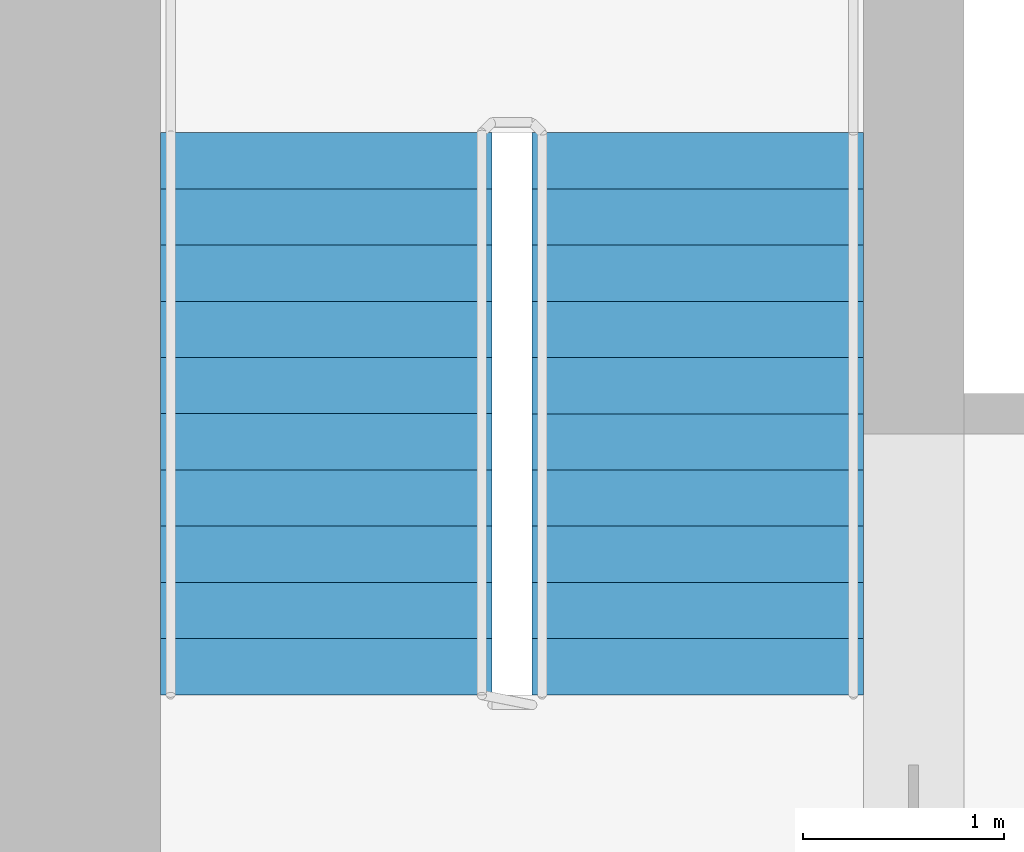
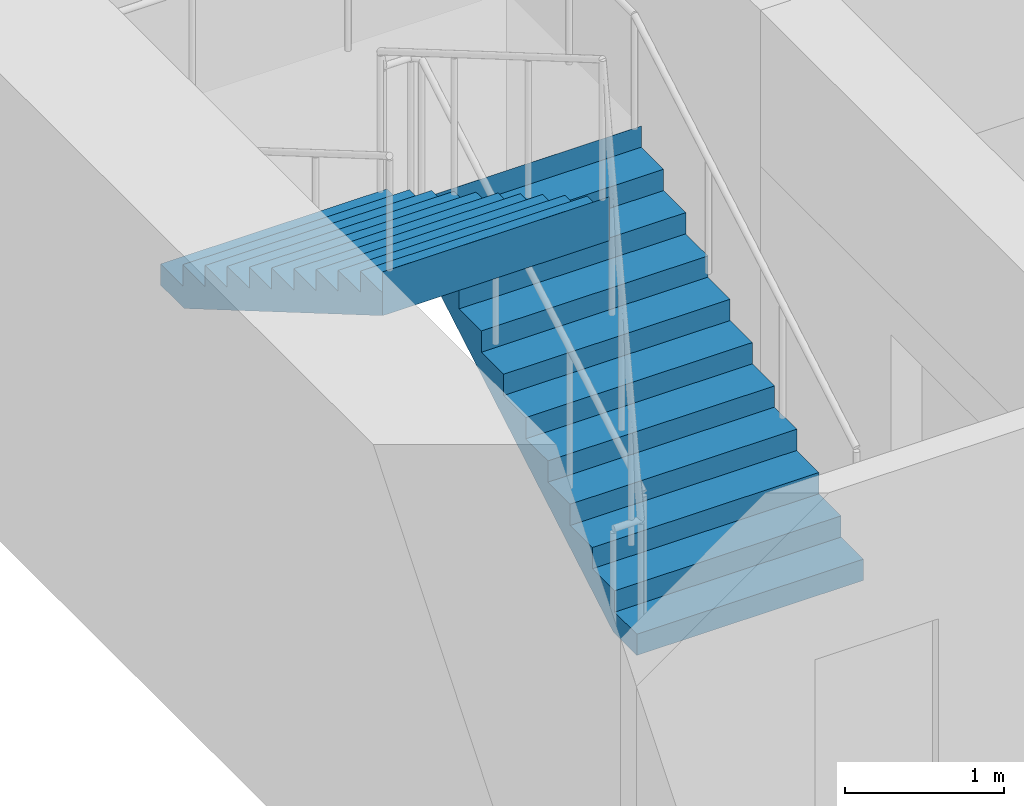
# One storey, part 14 of 15: 2 stair flights, 1 element without a shape of its own.
"""IFC4 building model written with IfcOpenShell, lengths in metres."""

from ifc_helpers import new_model, si_unit, direction, frame, origin, place, context, subcontext, project, spatial, polyline, outline, extrude, material, type_object, element, aggregate, save


model = new_model("IFC4")

# Units and contexts
model_context = context("Model", 3, precision=1e-05, world=origin(), true_north=direction((0.0, 1.0)))
body_context = subcontext(model_context, "Body", "Model", "MODEL_VIEW")
ifc_project = project(units=[si_unit("LENGTHUNIT", "METRE"), si_unit("AREAUNIT", "SQUARE_METRE"), si_unit("VOLUMEUNIT", "CUBIC_METRE"), si_unit("PLANEANGLEUNIT", "RADIAN"), si_unit("MASSUNIT", "GRAM", prefix="KILO")], contexts=[model_context])

# Site, building, storey
site_placement = place(None, origin())
site = spatial("IfcSite", under=ifc_project, at=site_placement, CompositionType="ELEMENT")
building_placement = place(site_placement, origin())
building = spatial("IfcBuilding", under=site, at=building_placement, Name="Tamorin Gate", CompositionType="ELEMENT")
storey_placement = place(building_placement, frame((0.0, 0.0, 111.5)))
storey = spatial("IfcBuildingStorey", under=building, at=storey_placement, Name="L27", CompositionType="ELEMENT", Elevation=111.5)

# Stair, stair flights
ifc_material = material(Name="Concrete C40/50", Category="concrete")
stair_type = type_object("IfcStairType", Name="Exit stair", PredefinedType="HALF_TURN_STAIR", material=ifc_material)
stair_placement = place(storey_placement, origin())
stair = element("IfcStair", 1, at=stair_placement, inside=storey, type_object=stair_type, Name="L27 stair ST2", PredefinedType="HALF_TURN_STAIR")
stair_flight_type = type_object("IfcStairFlightType", Name="Exit stair flight", PredefinedType="STRAIGHT", material=ifc_material)
stair_flight_1_placement = place(storey_placement, frame((33.675048828125, 77.0, 0.0), z_axis=(0.0, 0.0, 1.0), x_axis=(0.0, 1.0, 0.0)))
stair_flight_1 = element("IfcStairFlight", 2, at=stair_flight_1_placement, type_object=stair_flight_type, Name="ST2 flight 1", NumberOfRisers=11, NumberOfTreads=10, PredefinedType="STRAIGHT", RiserHeight=0.163636364, TreadLength=0.28, context=body_context, shape_type="SweptSolid", body=[
    extrude(outline(polyline([(-0.00048828125, 0.0), (-0.00048828125, 0.001708984375), (-0.00048828125, 0.003173828125), (-0.00048828125, 0.0048828125), (-0.00048828125, 0.006591796875), (-0.00048828125, 0.008056640625), (-0.00048828125, 0.009765625), (-0.00048828125, 0.01123046875), (-0.00048828125, 0.012939453125), (-0.00048828125, 0.0146484375), (-0.00048828125, 0.01611328125), (-0.00048828125, 0.017822265625), (-0.00048828125, 0.01953125), (-0.00048828125, 0.02099609375), (-0.00048828125, 0.022705078125), (-0.00048828125, 0.0244140625), (-0.00048828125, 0.02587890625), (-0.00048828125, 0.027587890625), (-0.00048828125, 0.029052734375), (-0.00048828125, 0.03076171875), (-0.00048828125, 0.032470703125), (-0.00048828125, 0.033935546875), (-0.00048828125, 0.03564453125), (-0.00048828125, 0.037353515625), (-0.00048828125, 0.038818359375), (-0.00048828125, 0.04052734375), (-0.00048828125, 0.042236328125), (-0.00048828125, 0.043701171875), (-0.00048828125, 0.04541015625), (-0.00048828125, 0.046875), (-0.00048828125, 0.048583984375), (-0.00048828125, 0.05029296875), (-0.00048828125, 0.0517578125), (-0.00048828125, 0.053466796875), (-0.00048828125, 0.05517578125), (-0.00048828125, 0.056640625), (-0.00048828125, 0.058349609375), (-0.00048828125, 0.06005859375), (-0.00048828125, 0.0615234375), (-0.00048828125, 0.063232421875), (-0.00048828125, 0.064697265625), (-0.00048828125, 0.06640625), (-0.00048828125, 0.068115234375), (-0.00048828125, 0.069580078125), (-0.00048828125, 0.0712890625), (-0.00048828125, 0.072998046875), (-0.00048828125, 0.074462890625), (-0.00048828125, 0.076171875), (-0.00048828125, 0.077880859375), (-0.00048828125, 0.079345703125), (-0.00048828125, 0.0810546875), (-0.00048828125, 0.08251953125), (-0.00048828125, 0.084228515625), (-0.00048828125, 0.0859375), (-0.00048828125, 0.08740234375), (-0.00048828125, 0.089111328125), (-0.00048828125, 0.0908203125), (-0.00048828125, 0.09228515625), (-0.00048828125, 0.093994140625), (-0.00048828125, 0.095703125), (-0.00048828125, 0.09716796875), (-0.00048828125, 0.098876953125), (-0.00048828125, 0.100341796875), (-0.00048828125, 0.10205078125), (-0.00048828125, 0.103759765625), (-0.00048828125, 0.105224609375), (-0.00048828125, 0.10693359375), (-0.00048828125, 0.108642578125), (-0.00048828125, 0.110107421875), (-0.00048828125, 0.11181640625), (-0.00048828125, 0.113525390625), (-0.00048828125, 0.114990234375), (-0.00048828125, 0.11669921875), (-0.00048828125, 0.1181640625), (-0.00048828125, 0.119873046875), (-0.00048828125, 0.12158203125), (-0.00048828125, 0.123046875), (-0.00048828125, 0.124755859375), (-0.00048828125, 0.12646484375), (-0.00048828125, 0.1279296875), (-0.00048828125, 0.129638671875), (-0.00048828125, 0.13134765625), (-0.00048828125, 0.1328125), (-0.00048828125, 0.134521484375), (-0.00048828125, 0.135986328125), (-0.00048828125, 0.1376953125), (-0.00048828125, 0.139404296875), (-0.00048828125, 0.140869140625), (-0.00048828125, 0.142578125), (-0.00048828125, 0.144287109375), (-0.00048828125, 0.145751953125), (-0.00048828125, 0.1474609375), (-0.00048828125, 0.149169921875), (-0.00048828125, 0.150634765625), (-0.00048828125, 0.15234375), (-0.00048828125, 0.15380859375), (-0.00048828125, 0.155517578125), (-0.00048828125, 0.1572265625), (-0.00048828125, 0.15869140625), (-0.00048828125, 0.160400390625), (-0.00048828125, 0.162109375), (-0.00048828125, 0.16357421875), (0.280029296875, 0.16357421875), (0.280029296875, 0.327392578125), (0.56005859375, 0.327392578125), (0.56005859375, 0.490966796875), (0.840087890625, 0.490966796875), (0.840087890625, 0.654541015625), (1.1201171875, 0.654541015625), (1.1201171875, 0.818115234375), (1.39990234375, 0.818115234375), (1.39990234375, 0.98193359375), (1.679931640625, 0.98193359375), (1.679931640625, 1.1455078125), (1.9599609375, 1.1455078125), (1.9599609375, 1.30908203125), (2.239990234375, 1.30908203125), (2.239990234375, 1.47265625), (2.52001953125, 1.47265625), (2.52001953125, 1.636474609375), (2.800048828125, 1.636474609375), (2.800048828125, 1.800048828125), (2.800537109375, 1.800048828125), (2.800537109375, 1.796630859375), (2.800537109375, 1.793212890625), (2.800537109375, 1.7900390625), (2.800537109375, 1.78662109375), (2.800537109375, 1.783203125), (2.800537109375, 1.780029296875), (2.800537109375, 1.776611328125), (2.800537109375, 1.773193359375), (2.800537109375, 1.77001953125), (2.800537109375, 1.7666015625), (2.800537109375, 1.76318359375), (2.800537109375, 1.760009765625), (2.800537109375, 1.756591796875), (2.800537109375, 1.753173828125), (2.800537109375, 1.75), (2.800537109375, 1.74658203125), (2.800537109375, 1.7431640625), (2.800537109375, 1.739990234375), (2.800537109375, 1.736572265625), (2.800537109375, 1.733154296875), (2.800537109375, 1.72998046875), (2.800537109375, 1.7265625), (2.800537109375, 1.72314453125), (2.800537109375, 1.719970703125), (2.800537109375, 1.716552734375), (2.800537109375, 1.713134765625), (2.800537109375, 1.7099609375), (2.800537109375, 1.70654296875), (2.800537109375, 1.703125), (2.800537109375, 1.69970703125), (2.800537109375, 1.696533203125), (2.800537109375, 1.693115234375), (2.800537109375, 1.689697265625), (2.800537109375, 1.6865234375), (2.800537109375, 1.68310546875), (2.800537109375, 1.6796875), (2.800537109375, 1.676513671875), (2.800537109375, 1.673095703125), (2.800537109375, 1.669677734375), (2.800537109375, 1.66650390625), (2.800537109375, 1.6630859375), (2.800537109375, 1.65966796875), (2.800537109375, 1.656494140625), (2.800537109375, 1.653076171875), (2.800537109375, 1.649658203125), (2.800537109375, 1.646484375), (2.800537109375, 1.64306640625), (2.800537109375, 1.6396484375), (2.800537109375, 1.636474609375), (2.800537109375, 1.633056640625), (2.800537109375, 1.629638671875), (2.800537109375, 1.62646484375), (2.800537109375, 1.623046875), (2.800537109375, 1.61962890625), (2.800537109375, 1.616455078125), (2.800537109375, 1.613037109375), (2.800537109375, 1.609619140625), (2.800537109375, 1.6064453125), (2.800537109375, 1.60302734375), (2.800537109375, 1.599609375), (2.800537109375, 1.59619140625), (2.800537109375, 1.593017578125), (2.800537109375, 1.589599609375), (2.800537109375, 1.586181640625), (2.800537109375, 1.5830078125), (2.800537109375, 1.57958984375), (2.800537109375, 1.576171875), (2.800537109375, 1.572998046875), (2.800537109375, 1.569580078125), (2.800537109375, 1.566162109375), (2.800537109375, 1.56298828125), (2.800537109375, 1.5595703125), (2.800537109375, 1.55615234375), (2.800537109375, 1.552978515625), (2.800537109375, 1.549560546875), (2.800537109375, 1.546142578125), (2.800537109375, 1.54296875), (2.800537109375, 1.53955078125), (2.800537109375, 1.5361328125), (2.800537109375, 1.532958984375), (2.800537109375, 1.529541015625), (2.800537109375, 1.526123046875), (2.800537109375, 1.52294921875), (2.800537109375, 1.51953125), (2.800537109375, 1.51611328125), (2.800537109375, 1.512939453125), (2.800537109375, 1.509521484375), (2.800537109375, 1.506103515625), (2.800537109375, 1.5029296875), (2.800537109375, 1.49951171875), (2.800537109375, 1.49609375), (2.800537109375, 1.49267578125), (2.800537109375, 1.489501953125), (2.800537109375, 1.486083984375), (2.800537109375, 1.482666015625), (2.800537109375, 1.4794921875), (2.800537109375, 1.47607421875), (2.800537109375, 1.47265625), (2.800537109375, 1.469482421875), (2.800537109375, 1.466064453125), (2.800537109375, 1.462646484375), (2.800048828125, 1.462646484375), (0.297119140625, 0.0), (-0.00048828125, 0.0)])), frame((0.0, 0.824951171875, 0.0), z_axis=(0.0, -1.0, 0.0), x_axis=(1.0, 0.0, 0.0)), (0.0, 0.0, 1.0), 1.64990234375),
])
stair_flight_2_placement = place(storey_placement, frame((31.824951171875, 79.800048828125, 1.800048828125), z_axis=(0.0, 0.0, 1.0), x_axis=(0.0, -1.0, 0.0)))
stair_flight_2 = element("IfcStairFlight", 3, at=stair_flight_2_placement, type_object=stair_flight_type, Name="ST2 flight 2", NumberOfRisers=11, NumberOfTreads=10, PredefinedType="STRAIGHT", RiserHeight=0.163636364, TreadLength=0.28, context=body_context, shape_type="SweptSolid", body=[
    extrude(outline(polyline([(-0.00048828125, 0.0), (-0.00048828125, 0.001708984375), (-0.00048828125, 0.003173828125), (-0.00048828125, 0.0048828125), (-0.00048828125, 0.006591796875), (-0.00048828125, 0.008056640625), (-0.00048828125, 0.009765625), (-0.00048828125, 0.01123046875), (-0.00048828125, 0.012939453125), (-0.00048828125, 0.0146484375), (-0.00048828125, 0.01611328125), (-0.00048828125, 0.017822265625), (-0.00048828125, 0.01953125), (-0.00048828125, 0.02099609375), (-0.00048828125, 0.022705078125), (-0.00048828125, 0.0244140625), (-0.00048828125, 0.02587890625), (-0.00048828125, 0.027587890625), (-0.00048828125, 0.029052734375), (-0.00048828125, 0.03076171875), (-0.00048828125, 0.032470703125), (-0.00048828125, 0.033935546875), (-0.00048828125, 0.03564453125), (-0.00048828125, 0.037353515625), (-0.00048828125, 0.038818359375), (-0.00048828125, 0.04052734375), (-0.00048828125, 0.042236328125), (-0.00048828125, 0.043701171875), (-0.00048828125, 0.04541015625), (-0.00048828125, 0.046875), (-0.00048828125, 0.048583984375), (-0.00048828125, 0.05029296875), (-0.00048828125, 0.0517578125), (-0.00048828125, 0.053466796875), (-0.00048828125, 0.05517578125), (-0.00048828125, 0.056640625), (-0.00048828125, 0.058349609375), (-0.00048828125, 0.06005859375), (-0.00048828125, 0.0615234375), (-0.00048828125, 0.063232421875), (-0.00048828125, 0.064697265625), (-0.00048828125, 0.06640625), (-0.00048828125, 0.068115234375), (-0.00048828125, 0.069580078125), (-0.00048828125, 0.0712890625), (-0.00048828125, 0.072998046875), (-0.00048828125, 0.074462890625), (-0.00048828125, 0.076171875), (-0.00048828125, 0.077880859375), (-0.00048828125, 0.079345703125), (-0.00048828125, 0.0810546875), (-0.00048828125, 0.08251953125), (-0.00048828125, 0.084228515625), (-0.00048828125, 0.0859375), (-0.00048828125, 0.08740234375), (-0.00048828125, 0.089111328125), (-0.00048828125, 0.0908203125), (-0.00048828125, 0.09228515625), (-0.00048828125, 0.093994140625), (-0.00048828125, 0.095703125), (-0.00048828125, 0.09716796875), (-0.00048828125, 0.098876953125), (-0.00048828125, 0.100341796875), (-0.00048828125, 0.10205078125), (-0.00048828125, 0.103759765625), (-0.00048828125, 0.105224609375), (-0.00048828125, 0.10693359375), (-0.00048828125, 0.108642578125), (-0.00048828125, 0.110107421875), (-0.00048828125, 0.11181640625), (-0.00048828125, 0.113525390625), (-0.00048828125, 0.114990234375), (-0.00048828125, 0.11669921875), (-0.00048828125, 0.1181640625), (-0.00048828125, 0.119873046875), (-0.00048828125, 0.12158203125), (-0.00048828125, 0.123046875), (-0.00048828125, 0.124755859375), (-0.00048828125, 0.12646484375), (-0.00048828125, 0.1279296875), (-0.00048828125, 0.129638671875), (-0.00048828125, 0.13134765625), (-0.00048828125, 0.1328125), (-0.00048828125, 0.134521484375), (-0.00048828125, 0.135986328125), (-0.00048828125, 0.1376953125), (-0.00048828125, 0.139404296875), (-0.00048828125, 0.140869140625), (-0.00048828125, 0.142578125), (-0.00048828125, 0.144287109375), (-0.00048828125, 0.145751953125), (-0.00048828125, 0.1474609375), (-0.00048828125, 0.149169921875), (-0.00048828125, 0.150634765625), (-0.00048828125, 0.15234375), (-0.00048828125, 0.15380859375), (-0.00048828125, 0.155517578125), (-0.00048828125, 0.1572265625), (-0.00048828125, 0.15869140625), (-0.00048828125, 0.160400390625), (-0.00048828125, 0.162109375), (-0.00048828125, 0.16357421875), (0.280029296875, 0.16357421875), (0.280029296875, 0.327392578125), (0.56005859375, 0.327392578125), (0.56005859375, 0.490966796875), (0.840087890625, 0.490966796875), (0.840087890625, 0.654541015625), (1.1201171875, 0.654541015625), (1.1201171875, 0.818115234375), (1.39990234375, 0.818115234375), (1.39990234375, 0.98193359375), (1.679931640625, 0.98193359375), (1.679931640625, 1.1455078125), (1.9599609375, 1.1455078125), (1.9599609375, 1.30908203125), (2.239990234375, 1.30908203125), (2.239990234375, 1.47265625), (2.52001953125, 1.47265625), (2.52001953125, 1.636474609375), (2.800048828125, 1.636474609375), (2.800048828125, 1.800048828125), (2.800537109375, 1.800048828125), (2.800537109375, 1.796630859375), (2.800537109375, 1.793212890625), (2.800537109375, 1.7900390625), (2.800537109375, 1.78662109375), (2.800537109375, 1.783203125), (2.800537109375, 1.780029296875), (2.800537109375, 1.776611328125), (2.800537109375, 1.773193359375), (2.800537109375, 1.77001953125), (2.800537109375, 1.7666015625), (2.800537109375, 1.76318359375), (2.800537109375, 1.760009765625), (2.800537109375, 1.756591796875), (2.800537109375, 1.753173828125), (2.800537109375, 1.75), (2.800537109375, 1.74658203125), (2.800537109375, 1.7431640625), (2.800537109375, 1.739990234375), (2.800537109375, 1.736572265625), (2.800537109375, 1.733154296875), (2.800537109375, 1.72998046875), (2.800537109375, 1.7265625), (2.800537109375, 1.72314453125), (2.800537109375, 1.719970703125), (2.800537109375, 1.716552734375), (2.800537109375, 1.713134765625), (2.800537109375, 1.7099609375), (2.800537109375, 1.70654296875), (2.800537109375, 1.703125), (2.800537109375, 1.69970703125), (2.800537109375, 1.696533203125), (2.800537109375, 1.693115234375), (2.800537109375, 1.689697265625), (2.800537109375, 1.6865234375), (2.800537109375, 1.68310546875), (2.800537109375, 1.6796875), (2.800537109375, 1.676513671875), (2.800537109375, 1.673095703125), (2.800537109375, 1.669677734375), (2.800537109375, 1.66650390625), (2.800537109375, 1.6630859375), (2.800537109375, 1.65966796875), (2.800537109375, 1.656494140625), (2.800537109375, 1.653076171875), (2.800537109375, 1.649658203125), (2.800537109375, 1.646484375), (2.800537109375, 1.64306640625), (2.800537109375, 1.6396484375), (2.800537109375, 1.636474609375), (2.800537109375, 1.633056640625), (2.800537109375, 1.629638671875), (2.800537109375, 1.62646484375), (2.800537109375, 1.623046875), (2.800537109375, 1.61962890625), (2.800537109375, 1.616455078125), (2.800537109375, 1.613037109375), (2.800537109375, 1.609619140625), (2.800537109375, 1.6064453125), (2.800537109375, 1.60302734375), (2.800537109375, 1.599609375), (2.800537109375, 1.59619140625), (2.800537109375, 1.593017578125), (2.800537109375, 1.589599609375), (2.800537109375, 1.586181640625), (2.800537109375, 1.5830078125), (2.800537109375, 1.57958984375), (2.800537109375, 1.576171875), (2.800537109375, 1.572998046875), (2.800537109375, 1.569580078125), (2.800537109375, 1.566162109375), (2.800537109375, 1.56298828125), (2.800537109375, 1.5595703125), (2.800537109375, 1.55615234375), (2.800537109375, 1.552978515625), (2.800537109375, 1.549560546875), (2.800537109375, 1.546142578125), (2.800537109375, 1.54296875), (2.800537109375, 1.53955078125), (2.800537109375, 1.5361328125), (2.800537109375, 1.532958984375), (2.800537109375, 1.529541015625), (2.800537109375, 1.526123046875), (2.800537109375, 1.52294921875), (2.800537109375, 1.51953125), (2.800537109375, 1.51611328125), (2.800537109375, 1.512939453125), (2.800537109375, 1.509521484375), (2.800537109375, 1.506103515625), (2.800537109375, 1.5029296875), (2.800537109375, 1.49951171875), (2.800537109375, 1.49609375), (2.800537109375, 1.49267578125), (2.800537109375, 1.489501953125), (2.800537109375, 1.486083984375), (2.800537109375, 1.482666015625), (2.800537109375, 1.4794921875), (2.800537109375, 1.47607421875), (2.800537109375, 1.47265625), (2.800537109375, 1.469482421875), (2.800537109375, 1.466064453125), (2.800537109375, 1.462646484375), (2.800048828125, 1.462646484375), (0.297119140625, 0.0), (-0.00048828125, 0.0)])), frame((0.0, 0.824951171875, 0.0), z_axis=(0.0, -1.0, 0.0), x_axis=(1.0, 0.0, 0.0)), (0.0, 0.0, 1.0), 1.64990234375),
])
aggregate(stair, [stair_flight_1, stair_flight_2])

save(model, "model.ifc")
